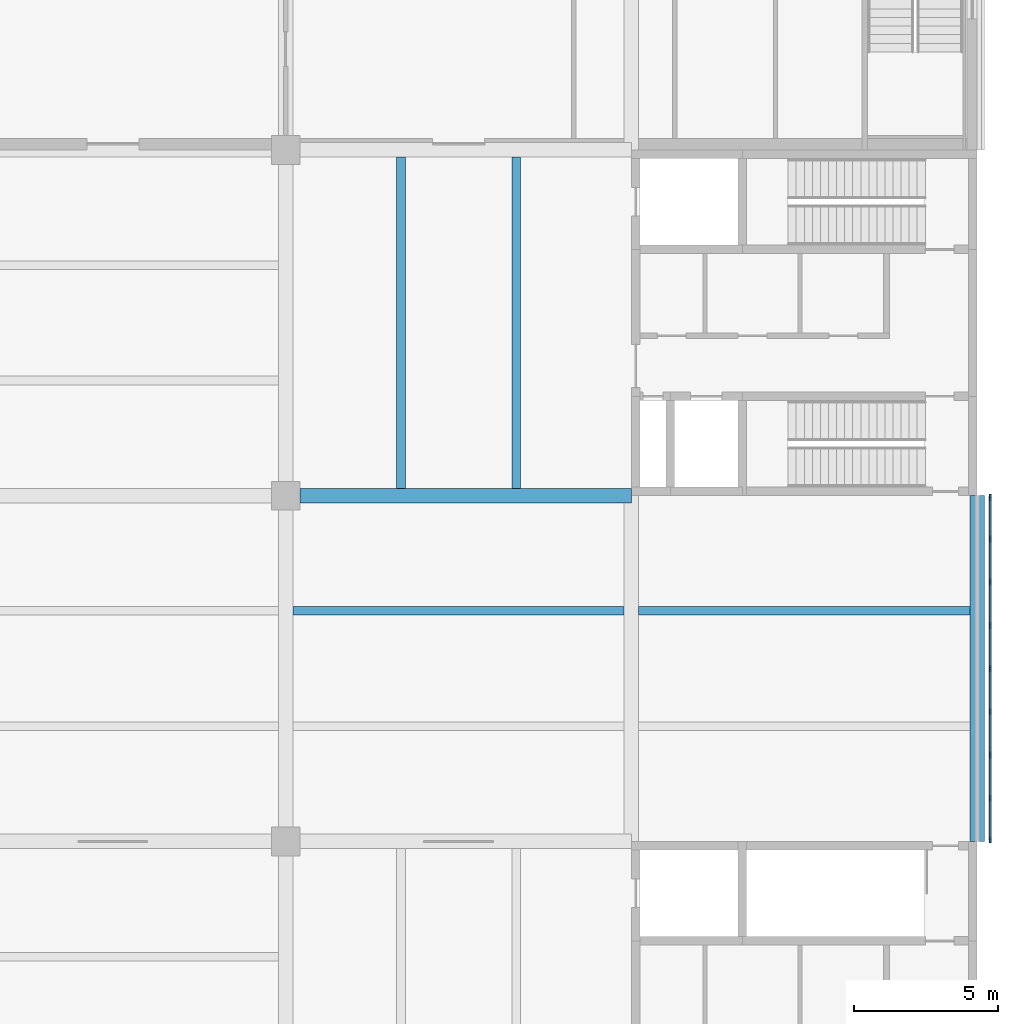
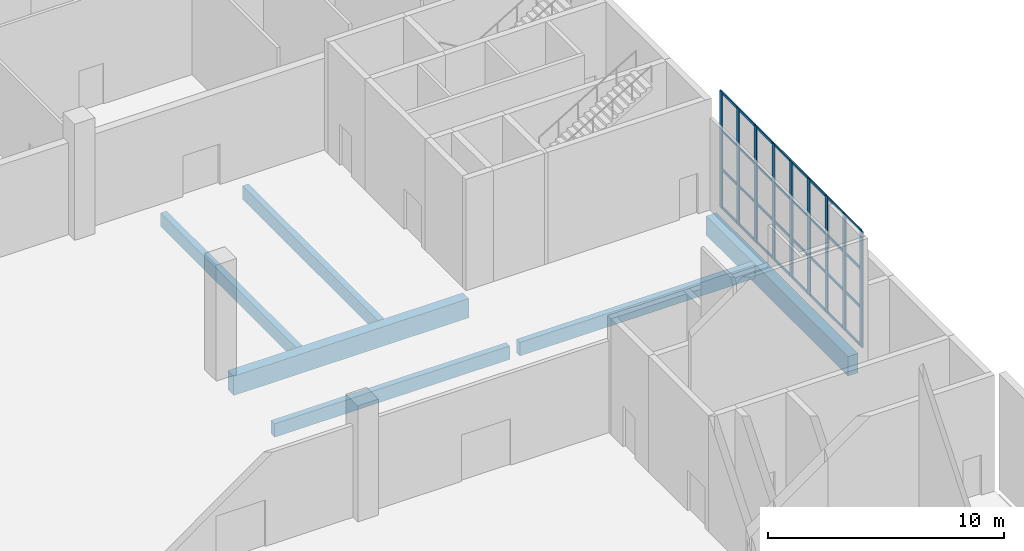
# One storey, part 34 of 72: 41 members, 6 beams, 1 element without a shape of its own.
"""IFC4 building model written with IfcOpenShell, lengths in metres."""

from ifc_helpers import new_model, si_unit, direction, frame, origin, origin_2d, place, context, subcontext, project, spatial, rectangle, extrude, material, layer, layer_set, material_profile, profile_set, type_object, element, aggregate, save


model = new_model("IFC4")

# Units and contexts
model_context = context("Model", 3, precision=1e-05, world=origin(), true_north=direction((0.0, 1.0)))
body_context = subcontext(model_context, "Body", "Model", "MODEL_VIEW")
ifc_project = project(units=[si_unit("LENGTHUNIT", "METRE"), si_unit("AREAUNIT", "SQUARE_METRE"), si_unit("VOLUMEUNIT", "CUBIC_METRE"), si_unit("PLANEANGLEUNIT", "RADIAN"), si_unit("MASSUNIT", "GRAM", prefix="KILO")], contexts=[model_context])

# Site, building, storey
site_placement = place(None, origin())
site = spatial("IfcSite", under=ifc_project, at=site_placement, CompositionType="ELEMENT")
building_placement = place(site_placement, origin())
building = spatial("IfcBuilding", under=site, at=building_placement, Name="Lilac Gate Convention Centre", CompositionType="ELEMENT")
storey_placement = place(building_placement, frame((0.0, 0.0, 6.0)))
storey = spatial("IfcBuildingStorey", under=building, at=storey_placement, Name="L01", CompositionType="ELEMENT", Elevation=6.0)

# Curtain wall, members
ifc_material_1 = material(Name="Aluminium framed double glazing", Category="aluminium")
ifc_layer = layer(ifc_material_1, 0.199951171875)
ifc_layer_set = layer_set([ifc_layer], Name="Aluminium framed double glazing")
curtain_wall_type = type_object("IfcCurtainWallType", Name="Unitised curtain wall 1500", PredefinedType="NOTDEFINED", material=ifc_layer_set)
curtain_wall_placement = place(storey_placement, origin())
curtain_wall = element("IfcCurtainWall", 1, at=curtain_wall_placement, inside=storey, type_object=curtain_wall_type, Name="Curtain wall HE L01 12", PredefinedType="NOTDEFINED")
ifc_material_2 = material(Name="Aluminium alloy 6063", Category="aluminium")
ifc_material_profile_1 = material_profile(ifc_material_2, rectangle(XDim=0.06005859375, YDim=0.219970703125, at=origin_2d()), Name="Curtain wall mullion 60 x 220")
ifc_profile_set_1 = profile_set([ifc_material_profile_1], Name="Aluminium alloy 6063")
member_type_1 = type_object("IfcMemberType", Name="Curtain wall mullion 60 x 220", PredefinedType="MULLION", material=ifc_profile_set_1)
member_1_placement = place(storey_placement, frame((90.449951171875, 198.06005859375, 0.0), z_axis=(0.0, 0.0, 1.0), x_axis=(-1.0, 0.0, 0.0)))
member_1 = element("IfcMember", 2, at=member_1_placement, type_object=member_type_1, Name="CW mullion 1", PredefinedType="MULLION", context=body_context, shape_type="SweptSolid", body=[
    extrude(rectangle(XDim=0.06005859375, YDim=0.219970703125, at=origin_2d()), origin(), (0.0, 0.0, 1.0), 6.0),
])
member_2_placement = place(storey_placement, frame((90.449951171875, 199.5, 0.0), z_axis=(0.0, 0.0, 1.0), x_axis=(-1.0, 0.0, 0.0)))
member_2 = element("IfcMember", 3, at=member_2_placement, type_object=member_type_1, Name="CW mullion 2", PredefinedType="MULLION", context=body_context, shape_type="SweptSolid", body=[
    extrude(rectangle(XDim=0.06005859375, YDim=0.219970703125, at=origin_2d()), origin(), (0.0, 0.0, 1.0), 6.0),
])
member_3_placement = place(storey_placement, frame((90.449951171875, 201.0, 0.0), z_axis=(0.0, 0.0, 1.0), x_axis=(-1.0, 0.0, 0.0)))
member_3 = element("IfcMember", 4, at=member_3_placement, type_object=member_type_1, Name="CW mullion 3", PredefinedType="MULLION", context=body_context, shape_type="SweptSolid", body=[
    extrude(rectangle(XDim=0.06005859375, YDim=0.219970703125, at=origin_2d()), origin(), (0.0, 0.0, 1.0), 6.0),
])
member_4_placement = place(storey_placement, frame((90.449951171875, 202.5, 0.0), z_axis=(0.0, 0.0, 1.0), x_axis=(-1.0, 0.0, 0.0)))
member_4 = element("IfcMember", 5, at=member_4_placement, type_object=member_type_1, Name="CW mullion 4", PredefinedType="MULLION", context=body_context, shape_type="SweptSolid", body=[
    extrude(rectangle(XDim=0.06005859375, YDim=0.219970703125, at=origin_2d()), origin(), (0.0, 0.0, 1.0), 6.0),
])
member_5_placement = place(storey_placement, frame((90.449951171875, 204.0, 0.0), z_axis=(0.0, 0.0, 1.0), x_axis=(-1.0, 0.0, 0.0)))
member_5 = element("IfcMember", 6, at=member_5_placement, type_object=member_type_1, Name="CW mullion 5", PredefinedType="MULLION", context=body_context, shape_type="SweptSolid", body=[
    extrude(rectangle(XDim=0.06005859375, YDim=0.219970703125, at=origin_2d()), origin(), (0.0, 0.0, 1.0), 6.0),
])
member_6_placement = place(storey_placement, frame((90.449951171875, 205.5, 0.0), z_axis=(0.0, 0.0, 1.0), x_axis=(-1.0, 0.0, 0.0)))
member_6 = element("IfcMember", 7, at=member_6_placement, type_object=member_type_1, Name="CW mullion 6", PredefinedType="MULLION", context=body_context, shape_type="SweptSolid", body=[
    extrude(rectangle(XDim=0.06005859375, YDim=0.219970703125, at=origin_2d()), origin(), (0.0, 0.0, 1.0), 6.0),
])
member_7_placement = place(storey_placement, frame((90.449951171875, 207.0, 0.0), z_axis=(0.0, 0.0, 1.0), x_axis=(-1.0, 0.0, 0.0)))
member_7 = element("IfcMember", 8, at=member_7_placement, type_object=member_type_1, Name="CW mullion 7", PredefinedType="MULLION", context=body_context, shape_type="SweptSolid", body=[
    extrude(rectangle(XDim=0.06005859375, YDim=0.219970703125, at=origin_2d()), origin(), (0.0, 0.0, 1.0), 6.0),
])
member_8_placement = place(storey_placement, frame((90.449951171875, 208.5, 0.0), z_axis=(0.0, 0.0, 1.0), x_axis=(-1.0, 0.0, 0.0)))
member_8 = element("IfcMember", 9, at=member_8_placement, type_object=member_type_1, Name="CW mullion 8", PredefinedType="MULLION", context=body_context, shape_type="SweptSolid", body=[
    extrude(rectangle(XDim=0.06005859375, YDim=0.219970703125, at=origin_2d()), origin(), (0.0, 0.0, 1.0), 6.0),
])
member_9_placement = place(storey_placement, frame((90.449951171875, 209.93994140625, 0.0), z_axis=(0.0, 0.0, 1.0), x_axis=(-1.0, 0.0, 0.0)))
member_9 = element("IfcMember", 10, at=member_9_placement, type_object=member_type_1, Name="CW mullion 9", PredefinedType="MULLION", context=body_context, shape_type="SweptSolid", body=[
    extrude(rectangle(XDim=0.06005859375, YDim=0.219970703125, at=origin_2d()), origin(), (0.0, 0.0, 1.0), 6.0),
])
ifc_material_profile_2 = material_profile(ifc_material_2, rectangle(XDim=0.06005859375, YDim=0.1201171875, at=origin_2d()), Name="Curtain wall transom 60 x 120")
ifc_profile_set_2 = profile_set([ifc_material_profile_2], Name="Aluminium alloy 6063")
member_type_2 = type_object("IfcMemberType", Name="Curtain wall transom 60 x 120", PredefinedType="USERDEFINED", material=ifc_profile_set_2)
member_10_placement = place(storey_placement, frame((90.449951171875, 198.06005859375, 0.030029296875), z_axis=(0.0, 1.0, 0.0), x_axis=(-1.0, 0.0, 0.0)))
member_10 = element("IfcMember", 11, at=member_10_placement, type_object=member_type_2, Name="CW transom 1.1", ObjectType="TRANSOM", PredefinedType="USERDEFINED", context=body_context, shape_type="SweptSolid", body=[
    extrude(rectangle(XDim=0.06005859375, YDim=0.1201171875, at=origin_2d()), origin(), (0.0, 0.0, 1.0), 1.409912109375),
])
member_11_placement = place(storey_placement, frame((90.449951171875, 198.06005859375, 2.0), z_axis=(0.0, 1.0, 0.0), x_axis=(-1.0, 0.0, 0.0)))
member_11 = element("IfcMember", 12, at=member_11_placement, type_object=member_type_2, Name="CW transom 1.2", ObjectType="TRANSOM", PredefinedType="USERDEFINED", context=body_context, shape_type="SweptSolid", body=[
    extrude(rectangle(XDim=0.06005859375, YDim=0.1201171875, at=origin_2d()), origin(), (0.0, 0.0, 1.0), 1.409912109375),
])
member_12_placement = place(storey_placement, frame((90.449951171875, 198.06005859375, 4.0), z_axis=(0.0, 1.0, 0.0), x_axis=(-1.0, 0.0, 0.0)))
member_12 = element("IfcMember", 13, at=member_12_placement, type_object=member_type_2, Name="CW transom 1.3", ObjectType="TRANSOM", PredefinedType="USERDEFINED", context=body_context, shape_type="SweptSolid", body=[
    extrude(rectangle(XDim=0.06005859375, YDim=0.1201171875, at=origin_2d()), origin(), (0.0, 0.0, 1.0), 1.409912109375),
])
member_13_placement = place(storey_placement, frame((90.449951171875, 198.06005859375, 5.969970703125), z_axis=(0.0, 1.0, 0.0), x_axis=(-1.0, 0.0, 0.0)))
member_13 = element("IfcMember", 14, at=member_13_placement, type_object=member_type_2, Name="CW transom 1.4", ObjectType="TRANSOM", PredefinedType="USERDEFINED", context=body_context, shape_type="SweptSolid", body=[
    extrude(rectangle(XDim=0.06005859375, YDim=0.1201171875, at=origin_2d()), origin(), (0.0, 0.0, 1.0), 1.409912109375),
])
member_14_placement = place(storey_placement, frame((90.449951171875, 199.530029296875, 0.030029296875), z_axis=(0.0, 1.0, 0.0), x_axis=(-1.0, 0.0, 0.0)))
member_14 = element("IfcMember", 15, at=member_14_placement, type_object=member_type_2, Name="CW transom 2.1", ObjectType="TRANSOM", PredefinedType="USERDEFINED", context=body_context, shape_type="SweptSolid", body=[
    extrude(rectangle(XDim=0.06005859375, YDim=0.1201171875, at=origin_2d()), origin(), (0.0, 0.0, 1.0), 1.43994140625),
])
member_15_placement = place(storey_placement, frame((90.449951171875, 199.530029296875, 2.0), z_axis=(0.0, 1.0, 0.0), x_axis=(-1.0, 0.0, 0.0)))
member_15 = element("IfcMember", 16, at=member_15_placement, type_object=member_type_2, Name="CW transom 2.2", ObjectType="TRANSOM", PredefinedType="USERDEFINED", context=body_context, shape_type="SweptSolid", body=[
    extrude(rectangle(XDim=0.06005859375, YDim=0.1201171875, at=origin_2d()), origin(), (0.0, 0.0, 1.0), 1.43994140625),
])
member_16_placement = place(storey_placement, frame((90.449951171875, 199.530029296875, 4.0), z_axis=(0.0, 1.0, 0.0), x_axis=(-1.0, 0.0, 0.0)))
member_16 = element("IfcMember", 17, at=member_16_placement, type_object=member_type_2, Name="CW transom 2.3", ObjectType="TRANSOM", PredefinedType="USERDEFINED", context=body_context, shape_type="SweptSolid", body=[
    extrude(rectangle(XDim=0.06005859375, YDim=0.1201171875, at=origin_2d()), origin(), (0.0, 0.0, 1.0), 1.43994140625),
])
member_17_placement = place(storey_placement, frame((90.449951171875, 199.530029296875, 5.969970703125), z_axis=(0.0, 1.0, 0.0), x_axis=(-1.0, 0.0, 0.0)))
member_17 = element("IfcMember", 18, at=member_17_placement, type_object=member_type_2, Name="CW transom 2.4", ObjectType="TRANSOM", PredefinedType="USERDEFINED", context=body_context, shape_type="SweptSolid", body=[
    extrude(rectangle(XDim=0.06005859375, YDim=0.1201171875, at=origin_2d()), origin(), (0.0, 0.0, 1.0), 1.43994140625),
])
member_18_placement = place(storey_placement, frame((90.449951171875, 201.030029296875, 0.030029296875), z_axis=(0.0, 1.0, 0.0), x_axis=(-1.0, 0.0, 0.0)))
member_18 = element("IfcMember", 19, at=member_18_placement, type_object=member_type_2, Name="CW transom 3.1", ObjectType="TRANSOM", PredefinedType="USERDEFINED", context=body_context, shape_type="SweptSolid", body=[
    extrude(rectangle(XDim=0.06005859375, YDim=0.1201171875, at=origin_2d()), origin(), (0.0, 0.0, 1.0), 1.43994140625),
])
member_19_placement = place(storey_placement, frame((90.449951171875, 201.030029296875, 2.0), z_axis=(0.0, 1.0, 0.0), x_axis=(-1.0, 0.0, 0.0)))
member_19 = element("IfcMember", 20, at=member_19_placement, type_object=member_type_2, Name="CW transom 3.2", ObjectType="TRANSOM", PredefinedType="USERDEFINED", context=body_context, shape_type="SweptSolid", body=[
    extrude(rectangle(XDim=0.06005859375, YDim=0.1201171875, at=origin_2d()), origin(), (0.0, 0.0, 1.0), 1.43994140625),
])
member_20_placement = place(storey_placement, frame((90.449951171875, 201.030029296875, 4.0), z_axis=(0.0, 1.0, 0.0), x_axis=(-1.0, 0.0, 0.0)))
member_20 = element("IfcMember", 21, at=member_20_placement, type_object=member_type_2, Name="CW transom 3.3", ObjectType="TRANSOM", PredefinedType="USERDEFINED", context=body_context, shape_type="SweptSolid", body=[
    extrude(rectangle(XDim=0.06005859375, YDim=0.1201171875, at=origin_2d()), origin(), (0.0, 0.0, 1.0), 1.43994140625),
])
member_21_placement = place(storey_placement, frame((90.449951171875, 201.030029296875, 5.969970703125), z_axis=(0.0, 1.0, 0.0), x_axis=(-1.0, 0.0, 0.0)))
member_21 = element("IfcMember", 22, at=member_21_placement, type_object=member_type_2, Name="CW transom 3.4", ObjectType="TRANSOM", PredefinedType="USERDEFINED", context=body_context, shape_type="SweptSolid", body=[
    extrude(rectangle(XDim=0.06005859375, YDim=0.1201171875, at=origin_2d()), origin(), (0.0, 0.0, 1.0), 1.43994140625),
])
member_22_placement = place(storey_placement, frame((90.449951171875, 202.530029296875, 0.030029296875), z_axis=(0.0, 1.0, 0.0), x_axis=(-1.0, 0.0, 0.0)))
member_22 = element("IfcMember", 23, at=member_22_placement, type_object=member_type_2, Name="CW transom 4.1", ObjectType="TRANSOM", PredefinedType="USERDEFINED", context=body_context, shape_type="SweptSolid", body=[
    extrude(rectangle(XDim=0.06005859375, YDim=0.1201171875, at=origin_2d()), origin(), (0.0, 0.0, 1.0), 1.43994140625),
])
member_23_placement = place(storey_placement, frame((90.449951171875, 202.530029296875, 2.0), z_axis=(0.0, 1.0, 0.0), x_axis=(-1.0, 0.0, 0.0)))
member_23 = element("IfcMember", 24, at=member_23_placement, type_object=member_type_2, Name="CW transom 4.2", ObjectType="TRANSOM", PredefinedType="USERDEFINED", context=body_context, shape_type="SweptSolid", body=[
    extrude(rectangle(XDim=0.06005859375, YDim=0.1201171875, at=origin_2d()), origin(), (0.0, 0.0, 1.0), 1.43994140625),
])
member_24_placement = place(storey_placement, frame((90.449951171875, 202.530029296875, 4.0), z_axis=(0.0, 1.0, 0.0), x_axis=(-1.0, 0.0, 0.0)))
member_24 = element("IfcMember", 25, at=member_24_placement, type_object=member_type_2, Name="CW transom 4.3", ObjectType="TRANSOM", PredefinedType="USERDEFINED", context=body_context, shape_type="SweptSolid", body=[
    extrude(rectangle(XDim=0.06005859375, YDim=0.1201171875, at=origin_2d()), origin(), (0.0, 0.0, 1.0), 1.43994140625),
])
member_25_placement = place(storey_placement, frame((90.449951171875, 202.530029296875, 5.969970703125), z_axis=(0.0, 1.0, 0.0), x_axis=(-1.0, 0.0, 0.0)))
member_25 = element("IfcMember", 26, at=member_25_placement, type_object=member_type_2, Name="CW transom 4.4", ObjectType="TRANSOM", PredefinedType="USERDEFINED", context=body_context, shape_type="SweptSolid", body=[
    extrude(rectangle(XDim=0.06005859375, YDim=0.1201171875, at=origin_2d()), origin(), (0.0, 0.0, 1.0), 1.43994140625),
])
member_26_placement = place(storey_placement, frame((90.449951171875, 204.030029296875, 0.030029296875), z_axis=(0.0, 1.0, 0.0), x_axis=(-1.0, 0.0, 0.0)))
member_26 = element("IfcMember", 27, at=member_26_placement, type_object=member_type_2, Name="CW transom 5.1", ObjectType="TRANSOM", PredefinedType="USERDEFINED", context=body_context, shape_type="SweptSolid", body=[
    extrude(rectangle(XDim=0.06005859375, YDim=0.1201171875, at=origin_2d()), origin(), (0.0, 0.0, 1.0), 1.43994140625),
])
member_27_placement = place(storey_placement, frame((90.449951171875, 204.030029296875, 2.0), z_axis=(0.0, 1.0, 0.0), x_axis=(-1.0, 0.0, 0.0)))
member_27 = element("IfcMember", 28, at=member_27_placement, type_object=member_type_2, Name="CW transom 5.2", ObjectType="TRANSOM", PredefinedType="USERDEFINED", context=body_context, shape_type="SweptSolid", body=[
    extrude(rectangle(XDim=0.06005859375, YDim=0.1201171875, at=origin_2d()), origin(), (0.0, 0.0, 1.0), 1.43994140625),
])
member_28_placement = place(storey_placement, frame((90.449951171875, 204.030029296875, 4.0), z_axis=(0.0, 1.0, 0.0), x_axis=(-1.0, 0.0, 0.0)))
member_28 = element("IfcMember", 29, at=member_28_placement, type_object=member_type_2, Name="CW transom 5.3", ObjectType="TRANSOM", PredefinedType="USERDEFINED", context=body_context, shape_type="SweptSolid", body=[
    extrude(rectangle(XDim=0.06005859375, YDim=0.1201171875, at=origin_2d()), origin(), (0.0, 0.0, 1.0), 1.43994140625),
])
member_29_placement = place(storey_placement, frame((90.449951171875, 204.030029296875, 5.969970703125), z_axis=(0.0, 1.0, 0.0), x_axis=(-1.0, 0.0, 0.0)))
member_29 = element("IfcMember", 30, at=member_29_placement, type_object=member_type_2, Name="CW transom 5.4", ObjectType="TRANSOM", PredefinedType="USERDEFINED", context=body_context, shape_type="SweptSolid", body=[
    extrude(rectangle(XDim=0.06005859375, YDim=0.1201171875, at=origin_2d()), origin(), (0.0, 0.0, 1.0), 1.43994140625),
])
member_30_placement = place(storey_placement, frame((90.449951171875, 205.530029296875, 0.030029296875), z_axis=(0.0, 1.0, 0.0), x_axis=(-1.0, 0.0, 0.0)))
member_30 = element("IfcMember", 31, at=member_30_placement, type_object=member_type_2, Name="CW transom 6.1", ObjectType="TRANSOM", PredefinedType="USERDEFINED", context=body_context, shape_type="SweptSolid", body=[
    extrude(rectangle(XDim=0.06005859375, YDim=0.1201171875, at=origin_2d()), origin(), (0.0, 0.0, 1.0), 1.43994140625),
])
member_31_placement = place(storey_placement, frame((90.449951171875, 205.530029296875, 2.0), z_axis=(0.0, 1.0, 0.0), x_axis=(-1.0, 0.0, 0.0)))
member_31 = element("IfcMember", 32, at=member_31_placement, type_object=member_type_2, Name="CW transom 6.2", ObjectType="TRANSOM", PredefinedType="USERDEFINED", context=body_context, shape_type="SweptSolid", body=[
    extrude(rectangle(XDim=0.06005859375, YDim=0.1201171875, at=origin_2d()), origin(), (0.0, 0.0, 1.0), 1.43994140625),
])
member_32_placement = place(storey_placement, frame((90.449951171875, 205.530029296875, 4.0), z_axis=(0.0, 1.0, 0.0), x_axis=(-1.0, 0.0, 0.0)))
member_32 = element("IfcMember", 33, at=member_32_placement, type_object=member_type_2, Name="CW transom 6.3", ObjectType="TRANSOM", PredefinedType="USERDEFINED", context=body_context, shape_type="SweptSolid", body=[
    extrude(rectangle(XDim=0.06005859375, YDim=0.1201171875, at=origin_2d()), origin(), (0.0, 0.0, 1.0), 1.43994140625),
])
member_33_placement = place(storey_placement, frame((90.449951171875, 205.530029296875, 5.969970703125), z_axis=(0.0, 1.0, 0.0), x_axis=(-1.0, 0.0, 0.0)))
member_33 = element("IfcMember", 34, at=member_33_placement, type_object=member_type_2, Name="CW transom 6.4", ObjectType="TRANSOM", PredefinedType="USERDEFINED", context=body_context, shape_type="SweptSolid", body=[
    extrude(rectangle(XDim=0.06005859375, YDim=0.1201171875, at=origin_2d()), origin(), (0.0, 0.0, 1.0), 1.43994140625),
])
member_34_placement = place(storey_placement, frame((90.449951171875, 207.030029296875, 0.030029296875), z_axis=(0.0, 1.0, 0.0), x_axis=(-1.0, 0.0, 0.0)))
member_34 = element("IfcMember", 35, at=member_34_placement, type_object=member_type_2, Name="CW transom 7.1", ObjectType="TRANSOM", PredefinedType="USERDEFINED", context=body_context, shape_type="SweptSolid", body=[
    extrude(rectangle(XDim=0.06005859375, YDim=0.1201171875, at=origin_2d()), origin(), (0.0, 0.0, 1.0), 1.43994140625),
])
member_35_placement = place(storey_placement, frame((90.449951171875, 207.030029296875, 2.0), z_axis=(0.0, 1.0, 0.0), x_axis=(-1.0, 0.0, 0.0)))
member_35 = element("IfcMember", 36, at=member_35_placement, type_object=member_type_2, Name="CW transom 7.2", ObjectType="TRANSOM", PredefinedType="USERDEFINED", context=body_context, shape_type="SweptSolid", body=[
    extrude(rectangle(XDim=0.06005859375, YDim=0.1201171875, at=origin_2d()), origin(), (0.0, 0.0, 1.0), 1.43994140625),
])
member_36_placement = place(storey_placement, frame((90.449951171875, 207.030029296875, 4.0), z_axis=(0.0, 1.0, 0.0), x_axis=(-1.0, 0.0, 0.0)))
member_36 = element("IfcMember", 37, at=member_36_placement, type_object=member_type_2, Name="CW transom 7.3", ObjectType="TRANSOM", PredefinedType="USERDEFINED", context=body_context, shape_type="SweptSolid", body=[
    extrude(rectangle(XDim=0.06005859375, YDim=0.1201171875, at=origin_2d()), origin(), (0.0, 0.0, 1.0), 1.43994140625),
])
member_37_placement = place(storey_placement, frame((90.449951171875, 207.030029296875, 5.969970703125), z_axis=(0.0, 1.0, 0.0), x_axis=(-1.0, 0.0, 0.0)))
member_37 = element("IfcMember", 38, at=member_37_placement, type_object=member_type_2, Name="CW transom 7.4", ObjectType="TRANSOM", PredefinedType="USERDEFINED", context=body_context, shape_type="SweptSolid", body=[
    extrude(rectangle(XDim=0.06005859375, YDim=0.1201171875, at=origin_2d()), origin(), (0.0, 0.0, 1.0), 1.43994140625),
])
member_38_placement = place(storey_placement, frame((90.449951171875, 208.530029296875, 0.030029296875), z_axis=(0.0, 1.0, 0.0), x_axis=(-1.0, 0.0, 0.0)))
member_38 = element("IfcMember", 39, at=member_38_placement, type_object=member_type_2, Name="CW transom 8.1", ObjectType="TRANSOM", PredefinedType="USERDEFINED", context=body_context, shape_type="SweptSolid", body=[
    extrude(rectangle(XDim=0.06005859375, YDim=0.1201171875, at=origin_2d()), origin(), (0.0, 0.0, 1.0), 1.409912109375),
])
member_39_placement = place(storey_placement, frame((90.449951171875, 208.530029296875, 2.0), z_axis=(0.0, 1.0, 0.0), x_axis=(-1.0, 0.0, 0.0)))
member_39 = element("IfcMember", 40, at=member_39_placement, type_object=member_type_2, Name="CW transom 8.2", ObjectType="TRANSOM", PredefinedType="USERDEFINED", context=body_context, shape_type="SweptSolid", body=[
    extrude(rectangle(XDim=0.06005859375, YDim=0.1201171875, at=origin_2d()), origin(), (0.0, 0.0, 1.0), 1.409912109375),
])
member_40_placement = place(storey_placement, frame((90.449951171875, 208.530029296875, 4.0), z_axis=(0.0, 1.0, 0.0), x_axis=(-1.0, 0.0, 0.0)))
member_40 = element("IfcMember", 41, at=member_40_placement, type_object=member_type_2, Name="CW transom 8.3", ObjectType="TRANSOM", PredefinedType="USERDEFINED", context=body_context, shape_type="SweptSolid", body=[
    extrude(rectangle(XDim=0.06005859375, YDim=0.1201171875, at=origin_2d()), origin(), (0.0, 0.0, 1.0), 1.409912109375),
])
member_41_placement = place(storey_placement, frame((90.449951171875, 208.530029296875, 5.969970703125), z_axis=(0.0, 1.0, 0.0), x_axis=(-1.0, 0.0, 0.0)))
member_41 = element("IfcMember", 42, at=member_41_placement, type_object=member_type_2, Name="CW transom 8.4", ObjectType="TRANSOM", PredefinedType="USERDEFINED", context=body_context, shape_type="SweptSolid", body=[
    extrude(rectangle(XDim=0.06005859375, YDim=0.1201171875, at=origin_2d()), origin(), (0.0, 0.0, 1.0), 1.409912109375),
])
aggregate(curtain_wall, [member_1, member_2, member_3, member_4, member_5, member_6, member_7, member_8, member_9, member_10, member_11, member_12, member_13, member_14, member_15, member_16, member_17, member_18, member_19, member_20, member_21, member_22, member_23, member_24, member_25, member_26, member_27, member_28, member_29, member_30, member_31, member_32, member_33, member_34, member_35, member_36, member_37, member_38, member_39, member_40, member_41])

# Beams
ifc_material_3 = material(Name="Concrete C40", Category="concrete")
ifc_material_profile_3 = material_profile(ifc_material_3, rectangle(XDim=0.5, YDim=1.0, at=origin_2d()), Name="RC 500x1000")
ifc_profile_set_3 = profile_set([ifc_material_profile_3], Name="Concrete C40")
beam_type_1 = type_object("IfcBeamType", Name="Primary beam 500x1000 C40", PredefinedType="BEAM", material=ifc_profile_set_3)
beam_1_placement = place(storey_placement, frame((66.5, 210.0, -0.75), z_axis=(1.0, 0.0, 0.0), x_axis=(0.0, 1.0, 0.0)))
element("IfcBeam", 43, at=beam_1_placement, inside=storey, type_object=beam_type_1, Name="RB1 L01 6/R-7/R", PredefinedType="BEAM", context=body_context, shape_type="SweptSolid", body=[
    extrude(rectangle(XDim=0.5, YDim=1.0, at=origin_2d()), origin(), (0.0, 0.0, 1.0), 11.5),
])
beam_2_placement = place(storey_placement, frame((90.0, 198.0, -0.75), z_axis=(0.0, 1.0, 0.0), x_axis=(-1.0, 0.0, 0.0)))
element("IfcBeam", 44, at=beam_2_placement, inside=storey, type_object=beam_type_1, Name="RB1 L01 8/Q-8/R", PredefinedType="BEAM", context=body_context, shape_type="SweptSolid", body=[
    extrude(rectangle(XDim=0.5, YDim=1.0, at=origin_2d()), origin(), (0.0, 0.0, 1.0), 12.0),
])
ifc_material_profile_4 = material_profile(ifc_material_3, rectangle(XDim=0.300048828125, YDim=0.699951171875, at=origin_2d()), Name="RC 300x700")
ifc_profile_set_4 = profile_set([ifc_material_profile_4], Name="Concrete C40")
beam_type_2 = type_object("IfcBeamType", Name="Secondary beam 300x700 C40", PredefinedType="BEAM", material=ifc_profile_set_4)
for number, where, z_axis, x_axis, name in (
    (45, (66.25, 206.0, -0.60009765625), (1.0, 0.0, 0.0), (0.0, 1.0, 0.0), "RB2 L01 bay 6/Q"),
    (46, (70.0, 210.25, -0.60009765625), (0.0, 1.0, 0.0), (-1.0, 0.0, 0.0), "RB2 L01 bay 6/R"),
    (47, (74.0, 210.25, -0.60009765625), (0.0, 1.0, 0.0), (-1.0, 0.0, 0.0), "RB2 L01 bay 6/R"),
    (48, (78.25, 206.0, -0.60009765625), (1.0, 0.0, 0.0), (0.0, 1.0, 0.0), "RB2 L01 bay 7/Q"),
):
    element("IfcBeam", number, at=place(storey_placement, frame(where, z_axis=z_axis, x_axis=x_axis)), inside=storey, type_object=beam_type_2, Name=name, PredefinedType="BEAM", context=body_context, shape_type="SweptSolid", body=[
        extrude(rectangle(XDim=0.300048828125, YDim=0.699951171875, at=origin_2d()), origin(), (0.0, 0.0, 1.0), 11.5),
    ])

save(model, "model.ifc")
